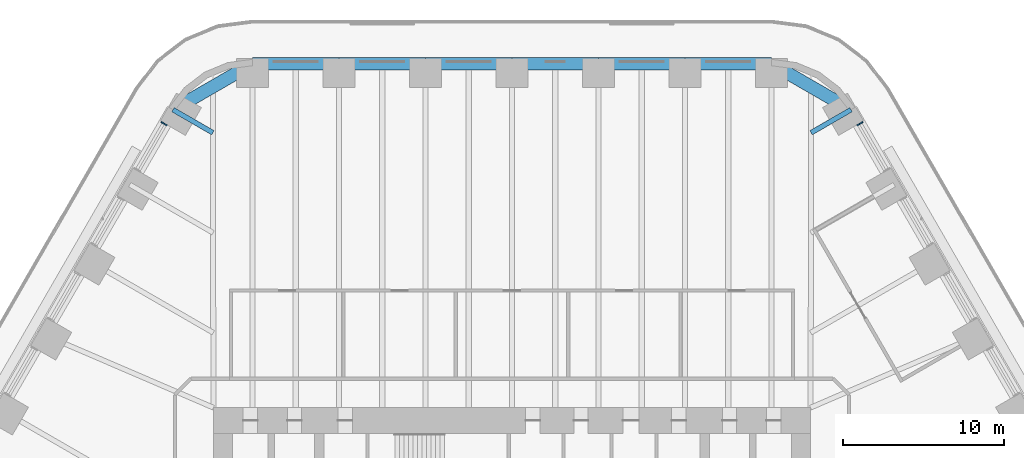
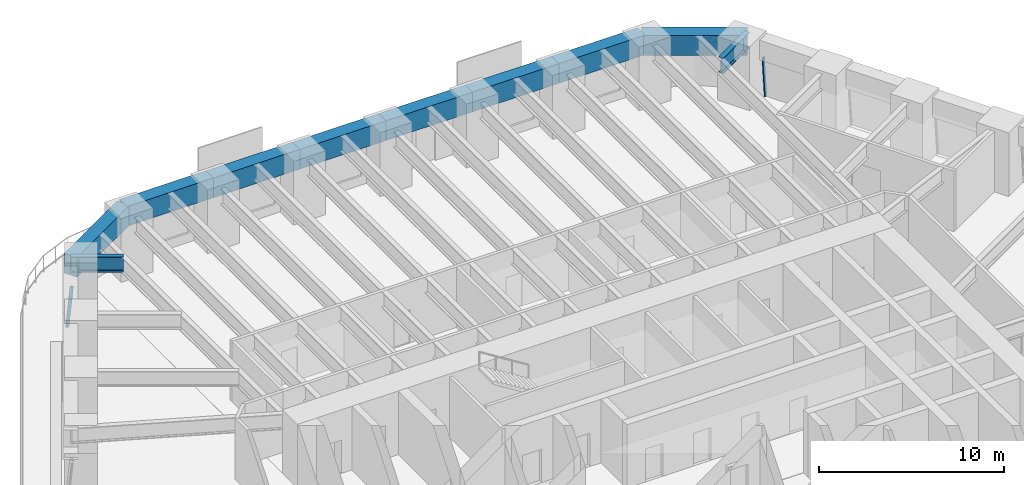
# One storey, part 14 of 23: 10 beams, 2 members, 2 elements without a shape of their own.
"""IFC4 building model written with IfcOpenShell, lengths in metres."""

from ifc_helpers import new_model, si_unit, direction, frame, origin, origin_2d, place, context, subcontext, project, spatial, rectangle, i_section, extrude, material, material_profile, profile_set, type_object, element, aggregate, save


model = new_model("IFC4")

# Units and contexts
model_context = context("Model", 3, precision=1e-05, world=origin(), true_north=direction((0.0, 1.0)))
body_context = subcontext(model_context, "Body", "Model", "MODEL_VIEW")
ifc_project = project(units=[si_unit("LENGTHUNIT", "METRE"), si_unit("AREAUNIT", "SQUARE_METRE"), si_unit("VOLUMEUNIT", "CUBIC_METRE"), si_unit("PLANEANGLEUNIT", "RADIAN"), si_unit("MASSUNIT", "GRAM", prefix="KILO")], contexts=[model_context])

# Site, building, storey
site_placement = place(None, origin())
site = spatial("IfcSite", under=ifc_project, at=site_placement, CompositionType="ELEMENT")
building_placement = place(site_placement, origin())
building = spatial("IfcBuilding", under=site, at=building_placement, Name="Tarfa Lantern Tower", CompositionType="ELEMENT")
storey_placement = place(building_placement, frame((0.0, 0.0, 61.300048828125)))
storey = spatial("IfcBuildingStorey", under=building, at=storey_placement, Name="L13", CompositionType="ELEMENT", Elevation=61.300048828125)

# Curtain wall, member
ifc_material_1 = material(Name="Aluminium framed curtain wall", Category="aluminium")
curtain_wall_type = type_object("IfcCurtainWallType", Name="CW1 CANTED GLAZING LOW ZONE 2700", PredefinedType="USERDEFINED", material=ifc_material_1)
curtain_wall_1_placement = place(storey_placement, origin())
curtain_wall_1 = element("IfcCurtainWall", 1, at=curtain_wall_1_placement, inside=storey, type_object=curtain_wall_type, Name="CW1 NE L13", ObjectType="CURTAIN WALL", PredefinedType="USERDEFINED")
ifc_material_2 = material(Name="Aluminium mullion", Category="aluminium")
ifc_material_profile_1 = material_profile(ifc_material_2, rectangle(XDim=0.06494140625, YDim=0.199951171875, at=origin_2d()), Name="AL MULLION 65x200")
ifc_profile_set_1 = profile_set([ifc_material_profile_1], Name="Aluminium mullion")
member_type = type_object("IfcMemberType", Name="CWM1 MULLION 65x200", PredefinedType="MULLION", material=ifc_profile_set_1)
member_1_placement = place(storey_placement, frame((21.79150390625, 30.055908203125, 0.0), z_axis=(-0.079774955866, -0.04610020023, 0.995746317068), x_axis=(0.500342721131, -0.865827443207, 0.0)))
member_1 = element("IfcMember", 2, at=member_1_placement, type_object=member_type, Name="CW1 mullion 2", PredefinedType="MULLION", context=body_context, shape_type="SweptSolid", body=[
    extrude(rectangle(XDim=0.06494140625, YDim=0.199951171875, at=origin_2d()), origin(), (0.0, 0.0, 1.0), 2.71142578125),
])
aggregate(curtain_wall_1, [member_1])

curtain_wall_2_placement = place(storey_placement, origin())
curtain_wall_2 = element("IfcCurtainWall", 3, at=curtain_wall_2_placement, inside=storey, type_object=curtain_wall_type, Name="CW1 NW L13", ObjectType="CURTAIN WALL", PredefinedType="USERDEFINED")
member_2_placement = place(storey_placement, frame((-21.79150390625, 30.055908203125, 0.0), z_axis=(0.079774955866, -0.04610020023, 0.995746317068), x_axis=(0.500342721131, 0.865827443207, 0.0)))
member_2 = element("IfcMember", 4, at=member_2_placement, type_object=member_type, Name="CW1 mullion 1", PredefinedType="MULLION", context=body_context, shape_type="SweptSolid", body=[
    extrude(rectangle(XDim=0.06494140625, YDim=0.199951171875, at=origin_2d()), origin(), (0.0, 0.0, 1.0), 2.71142578125),
])
aggregate(curtain_wall_2, [member_2])

# Beams
ifc_material_3 = material(Name="Concrete C80/95", Category="concrete")
ifc_material_profile_2 = material_profile(ifc_material_3, rectangle(XDim=0.800048828125, YDim=1.300048828125, at=origin_2d()), Name="RC 800x1300")
ifc_profile_set_2 = profile_set([ifc_material_profile_2], Name="Concrete C80/95")
beam_type_1 = type_object("IfcBeamType", Name="EB1 RC 800x1300", PredefinedType="SPANDREL", material=ifc_profile_set_2)
beam_1_placement = place(storey_placement, frame((21.119384765625, 30.860107421875, 3.349853515625), z_axis=(-0.866033479681, 0.499986011877, 0.0), x_axis=(-0.499986011877, -0.866033479681, 0.0)))
element("IfcBeam", 5, at=beam_1_placement, inside=storey, type_object=beam_type_1, Name="Edge beam NE6", PredefinedType="SPANDREL", context=body_context, shape_type="SweptSolid", body=[
    extrude(rectangle(XDim=0.800048828125, YDim=1.300048828125, at=origin_2d()), origin(), (0.0, 0.0, 1.0), 5.719970703125),
])
beam_2_placement = place(storey_placement, frame((16.165771484375, 33.719970703125, 3.349853515625), z_axis=(-1.0, 0.0, 0.0), x_axis=(0.0, -1.0, 0.0)))
element("IfcBeam", 6, at=beam_2_placement, inside=storey, type_object=beam_type_1, Name="Edge beam N0", PredefinedType="SPANDREL", context=body_context, shape_type="SweptSolid", body=[
    extrude(rectangle(XDim=0.800048828125, YDim=1.300048828125, at=origin_2d()), origin(), (0.0, 0.0, 1.0), 5.388671875),
])
beam_3_placement = place(storey_placement, frame((10.777099609375, 33.719970703125, 3.349853515625), z_axis=(-1.0, 0.0, 0.0), x_axis=(0.0, -1.0, 0.0)))
element("IfcBeam", 7, at=beam_3_placement, inside=storey, type_object=beam_type_1, Name="Edge beam N1", PredefinedType="SPANDREL", context=body_context, shape_type="SweptSolid", body=[
    extrude(rectangle(XDim=0.800048828125, YDim=1.300048828125, at=origin_2d()), origin(), (0.0, 0.0, 1.0), 5.388427734375),
])
for number, where, z_axis, x_axis, name in (
    (8, (5.388671875, 33.719970703125, 3.349853515625), (-1.0, 0.0, 0.0), (0.0, -1.0, 0.0), "Edge beam N2"),
    (9, (0.0, 33.719970703125, 3.349853515625), (-1.0, 0.0, 0.0), (0.0, -1.0, 0.0), "Edge beam N3"),
):
    element("IfcBeam", number, at=place(storey_placement, frame(where, z_axis=z_axis, x_axis=x_axis)), inside=storey, type_object=beam_type_1, Name=name, PredefinedType="SPANDREL", context=body_context, shape_type="SweptSolid", body=[
        extrude(rectangle(XDim=0.800048828125, YDim=1.300048828125, at=origin_2d()), origin(), (0.0, 0.0, 1.0), 5.388671875),
    ])
beam_4_placement = place(storey_placement, frame((-5.388671875, 33.719970703125, 3.349853515625), z_axis=(-1.0, 0.0, 0.0), x_axis=(0.0, -1.0, 0.0)))
element("IfcBeam", 10, at=beam_4_placement, inside=storey, type_object=beam_type_1, Name="Edge beam N4", PredefinedType="SPANDREL", context=body_context, shape_type="SweptSolid", body=[
    extrude(rectangle(XDim=0.800048828125, YDim=1.300048828125, at=origin_2d()), origin(), (0.0, 0.0, 1.0), 5.388427734375),
])
beam_5_placement = place(storey_placement, frame((-10.777099609375, 33.719970703125, 3.349853515625), z_axis=(-1.0, 0.0, 0.0), x_axis=(0.0, -1.0, 0.0)))
element("IfcBeam", 11, at=beam_5_placement, inside=storey, type_object=beam_type_1, Name="Edge beam N5", PredefinedType="SPANDREL", context=body_context, shape_type="SweptSolid", body=[
    extrude(rectangle(XDim=0.800048828125, YDim=1.300048828125, at=origin_2d()), origin(), (0.0, 0.0, 1.0), 5.388671875),
])
beam_6_placement = place(storey_placement, frame((-16.165771484375, 33.719970703125, 3.349853515625), z_axis=(-0.866033479681, -0.499986011877, 0.0), x_axis=(0.499986011877, -0.866033479681, 0.0)))
element("IfcBeam", 12, at=beam_6_placement, inside=storey, type_object=beam_type_1, Name="Edge beam N6", PredefinedType="SPANDREL", context=body_context, shape_type="SweptSolid", body=[
    extrude(rectangle(XDim=0.800048828125, YDim=1.300048828125, at=origin_2d()), origin(), (0.0, 0.0, 1.0), 5.719970703125),
])
ifc_material_4 = material(Name="Steel S460M", Category="steel")
ifc_material_profile_3 = material_profile(ifc_material_4, i_section(OverallWidth=0.302001953125, OverallDepth=1.008056640625, WebThickness=0.02099609375, FlangeThickness=0.0400390625, FilletRadius=0.030029296875, at=origin_2d()), Name="UB1016x305x349")
ifc_profile_set_3 = profile_set([ifc_material_profile_3], Name="Steel S460M")
beam_type_2 = type_object("IfcBeamType", Name="UB1016x305x349", PredefinedType="BEAM", material=ifc_profile_set_3)
for number, where, z_axis, x_axis, name in (
    (13, (21.119384765625, 30.860107421875, 3.495849609375), (-0.866012580594, -0.500022209759, 0.0), (0.500022209759, -0.866012580594, 0.0), "Floor beam NE6"),
    (14, (-21.119384765625, 30.860107421875, 3.495849609375), (0.866012580594, -0.500022209759, 0.0), (0.500022209759, 0.866012580594, 0.0), "Floor beam NW0"),
):
    element("IfcBeam", number, at=place(storey_placement, frame(where, z_axis=z_axis, x_axis=x_axis)), inside=storey, type_object=beam_type_2, Name=name, PredefinedType="BEAM", context=body_context, shape_type="SweptSolid", body=[
        extrude(i_section(OverallWidth=0.302001953125, OverallDepth=1.008056640625, WebThickness=0.02099609375, FlangeThickness=0.0400390625, FilletRadius=0.030029296875, at=origin_2d()), origin(), (0.0, 0.0, 1.0), 2.866943359375),
    ])

save(model, "model.ifc")
